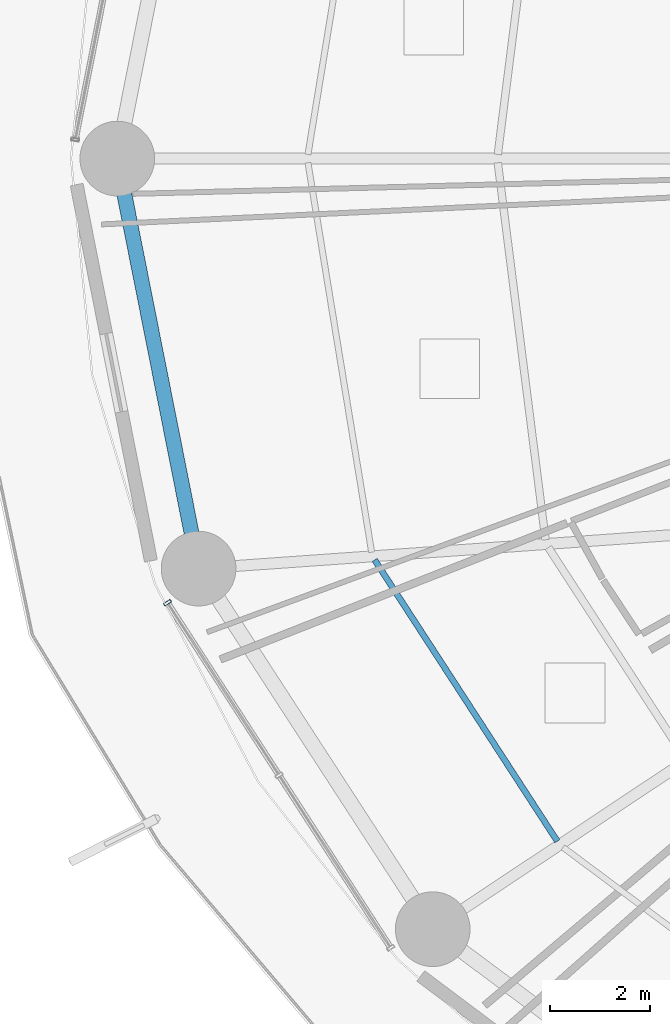
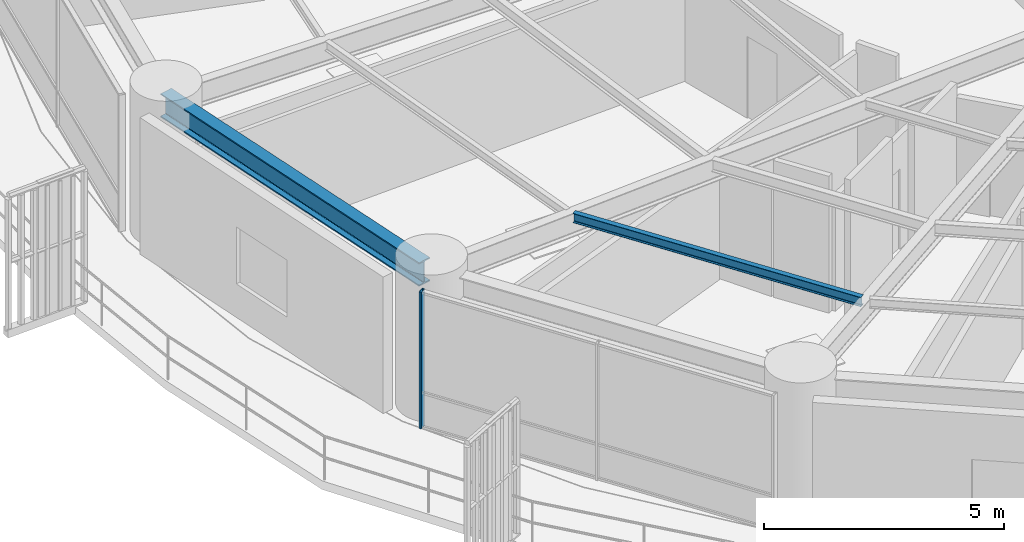
# One storey, part 4 of 33: 2 beams, 1 member, 1 element without a shape of its own.
"""IFC4 building model written with IfcOpenShell, lengths in metres."""

import ifcopenshell
import ifcopenshell.guid

model = None  # the IFC model being written
_history = None  # IfcOwnerHistory: only IFC2X3 demands one
_inside = {}  # id of a spatial element -> (the spatial element, [elements in it])
_under = {}  # id of a project, library or spatial element -> (it, [spatial elements below it])
_declared = {}  # id of a project -> (the project, [libraries it declares])
_typed = {}  # id of a type object -> (the type object, [elements of that type])
_made_of = {}  # id of a material, layer set ... -> (it, [elements and type objects made of it])


def new_model(schema):
    """Start an empty IFC model of exactly this schema.

    Asked for "IFC4X3", IfcOpenShell would pick the latest addendum, in which some entities
    have other attributes; the version numbers below select the first issue.
    IFC2X3 requires an IfcOwnerHistory on every rooted entity: one is made here for all.
    """
    global model, _history
    if schema == "IFC4X3":
        model = ifcopenshell.file(schema_version=(4, 3, 0, 0))
    else:
        model = ifcopenshell.file(schema=schema)
    _inside.clear()
    _under.clear()
    _declared.clear()
    _typed.clear()
    _made_of.clear()
    _history = None
    if model.schema == "IFC2X3":
        org = make("IfcOrganization", Name="unknown")
        user = make(
            "IfcPersonAndOrganization",
            ThePerson=make("IfcPerson", FamilyName="unknown"),
            TheOrganization=org,
        )
        app = make(
            "IfcApplication",
            ApplicationDeveloper=org,
            Version="unknown",
            ApplicationFullName="unknown",
            ApplicationIdentifier="unknown",
        )
        _history = make(
            "IfcOwnerHistory",
            OwningUser=user,
            OwningApplication=app,
            ChangeAction="ADDED",
            CreationDate=0,
        )
    return model


def make(cls, **values):
    """One entity of the class cls with the attributes given. An attribute that is None is left unset."""
    return model.create_entity(
        cls, **{name: value for name, value in values.items() if value is not None}
    )


def rooted(cls, **values):
    """An entity with a GlobalId (a new one), such as an element, a storey or a relation."""
    return make(cls, GlobalId=ifcopenshell.guid.new(), OwnerHistory=_history, **values)


def si_unit(unit_type, name, prefix=None):
    """IfcSIUnit, for example si_unit("LENGTHUNIT", "METRE", prefix="MILLI")."""
    return make("IfcSIUnit", UnitType=unit_type, Prefix=prefix, Name=name)


def assignment(units):
    """IfcUnitAssignment: the units of a project."""
    return None if units is None else make("IfcUnitAssignment", Units=units)


def point(xyz):
    """IfcCartesianPoint."""
    return None if xyz is None else make("IfcCartesianPoint", Coordinates=xyz)


def direction(xyz):
    """IfcDirection."""
    return None if xyz is None else make("IfcDirection", DirectionRatios=xyz)


def frame(location, z_axis=None, x_axis=None):
    """IfcAxis2Placement3D, a coordinate frame: its origin and axes. An axis left out is left unset."""
    return make(
        "IfcAxis2Placement3D",
        Location=point(location),
        Axis=direction(z_axis),
        RefDirection=direction(x_axis),
    )


def frame_2d(location, x_axis=None):
    """IfcAxis2Placement2D, a coordinate frame in the plane: its origin and x axis."""
    return make(
        "IfcAxis2Placement2D", Location=point(location), RefDirection=direction(x_axis)
    )


def origin():
    """The frame at (0, 0, 0) with its axes left unset."""
    return frame((0.0, 0.0, 0.0))


def origin_2d():
    """The frame at (0, 0) in the plane with its x axis left unset."""
    return frame_2d((0.0, 0.0))


def place(relative_to, where):
    """IfcLocalPlacement: puts the frame where relative to a parent placement (None: the world)."""
    return make(
        "IfcLocalPlacement", PlacementRelTo=relative_to, RelativePlacement=where
    )


def context(
    kind, dimensions, precision=None, world=None, true_north=None, identifier=None
):
    """IfcGeometricRepresentationContext, for example the 3D "Model" context."""
    return make(
        "IfcGeometricRepresentationContext",
        ContextIdentifier=identifier,
        ContextType=kind,
        CoordinateSpaceDimension=dimensions,
        Precision=precision,
        WorldCoordinateSystem=world,
        TrueNorth=true_north,
    )


def subcontext(parent, identifier, kind, view, scale=None):
    """IfcGeometricRepresentationSubContext, for example "Body" below "Model"."""
    return make(
        "IfcGeometricRepresentationSubContext",
        ContextIdentifier=identifier,
        ContextType=kind,
        ParentContext=parent,
        TargetScale=scale,
        TargetView=view,
    )


def project(units=None, contexts=None):
    """IfcProject with its units and contexts."""
    return rooted(
        "IfcProject",
        Name="project",
        RepresentationContexts=contexts,
        UnitsInContext=assignment(units),
    )


def spatial(cls, under=None, at=None, **own):
    """A site, building, storey or space (cls), placed at a placement, below another one or the project."""
    s = rooted(cls, ObjectPlacement=at, **own)
    if under is not None:
        _under.setdefault(under.id(), (under, []))[1].append(s)
    return s


def profile(cls, at=None, kind="AREA", **sizes):
    """A parametric profile (cls). Its sizes go by their IFC names, for example OverallWidth=200.0."""
    return make(cls, ProfileType=kind, Position=at, **sizes)


def hollow_rectangle(**sizes):
    """IfcRectangleHollowProfileDef."""
    return profile("IfcRectangleHollowProfileDef", **sizes)


def i_section(**sizes):
    """IfcIShapeProfileDef."""
    return profile("IfcIShapeProfileDef", **sizes)


def extrude(swept, where, along, depth):
    """IfcExtrudedAreaSolid: the profile swept, set in the frame where, extruded along a direction by depth."""
    return make(
        "IfcExtrudedAreaSolid",
        SweptArea=swept,
        Position=where,
        ExtrudedDirection=direction(along),
        Depth=depth,
    )


def shape(context_of_items, identifier, shape_type, items):
    """IfcShapeRepresentation: the items that make up one representation, for example the "Body"."""
    return make(
        "IfcShapeRepresentation",
        ContextOfItems=context_of_items,
        RepresentationIdentifier=identifier,
        RepresentationType=shape_type,
        Items=items,
    )


def material(Name=None, Category=None):
    """IfcMaterial."""
    return make("IfcMaterial", Name=Name, Category=Category)


def layer(
    of_material, thickness, ventilated=None, Name=None, Category=None, Priority=None
):
    """IfcMaterialLayer: one layer of a wall or slab, of a material (None: an air gap)."""
    return make(
        "IfcMaterialLayer",
        Material=of_material,
        LayerThickness=thickness,
        IsVentilated=ventilated,
        Name=Name,
        Category=Category,
        Priority=Priority,
    )


def layer_set(layers, Name=None):
    """IfcMaterialLayerSet."""
    return make("IfcMaterialLayerSet", MaterialLayers=layers, LayerSetName=Name)


def material_profile(
    of_material, cross_section, Name=None, Category=None, Priority=None
):
    """IfcMaterialProfile: a cross section and its material."""
    return make(
        "IfcMaterialProfile",
        Name=Name,
        Material=of_material,
        Profile=cross_section,
        Priority=Priority,
        Category=Category,
    )


def profile_set(profiles, Name=None, composite=None):
    """IfcMaterialProfileSet."""
    return make(
        "IfcMaterialProfileSet",
        Name=Name,
        MaterialProfiles=profiles,
        CompositeProfile=composite,
    )


def made_of(thing, what):
    """Note that an element or type object is made of a material, layer set ...; save() writes the relation."""
    if what is not None:
        _made_of.setdefault(what.id(), (what, []))[1].append(thing)
    return thing


def type_object(cls, material=None, **own):
    """A type object (cls), such as IfcWallType, which elements share."""
    return made_of(rooted(cls, **own), material)


def element(
    cls,
    number,
    at=None,
    inside=None,
    cuts=None,
    type_object=None,
    material=None,
    context=None,
    identifier="Body",
    shape_type=None,
    held_by="IfcProductDefinitionShape",
    body=None,
    shapes=None,
    **own,
):
    """One element of the class cls, such as IfcWall. Its Tag is "e" and its number.

    at: its placement. inside: the storey or other place that contains it. cuts: it is an
    opening in that element (IfcRelVoidsElement). A single representation is given by context,
    identifier, shape_type and body (its items); several are given by shapes. held_by: the class
    of the entity that holds the representations. save() writes the other relations.
    """
    e = rooted(cls, Tag="e%d" % number, ObjectPlacement=at, **own)
    if body is not None:
        shapes = [shape(context, identifier, shape_type, body)]
    if shapes is not None:
        e.Representation = make(held_by, Representations=shapes)
    if inside is not None:
        _inside.setdefault(inside.id(), (inside, []))[1].append(e)
    if cuts is not None:
        rooted(
            "IfcRelVoidsElement", RelatingBuildingElement=cuts, RelatedOpeningElement=e
        )
    if type_object is not None:
        _typed.setdefault(type_object.id(), (type_object, []))[1].append(e)
    return made_of(e, material)


def aggregate(whole, parts):
    """IfcRelAggregates: a whole, such as a stair, and the parts it consists of."""
    return rooted("IfcRelAggregates", RelatingObject=whole, RelatedObjects=parts)


def save(model, path):
    """Write the relations noted so far, then the file.

    IfcRelAggregates (storeys below a building ...), IfcRelContainedInSpatialStructure (elements
    in a storey), IfcRelDefinesByType, IfcRelAssociatesMaterial and IfcRelDeclares: one each for
    every whole, place, type object, material and project.
    """
    for whole, parts in _under.values():
        aggregate(whole, parts)
    for where, things in _inside.values():
        rooted(
            "IfcRelContainedInSpatialStructure",
            RelatedElements=things,
            RelatingStructure=where,
        )
    for kind, things in _typed.values():
        rooted("IfcRelDefinesByType", RelatedObjects=things, RelatingType=kind)
    for what, things in _made_of.values():
        rooted("IfcRelAssociatesMaterial", RelatedObjects=things, RelatingMaterial=what)
    for by, libraries in _declared.values():
        rooted("IfcRelDeclares", RelatingContext=by, RelatedDefinitions=libraries)
    model.write(path)


model = new_model("IFC4")

# Units and contexts
model_context = context("Model", 3, precision=1e-05, world=origin(), true_north=direction((0.0, 1.0)))
body_context = subcontext(model_context, "Body", "Model", "MODEL_VIEW")
ifc_project = project(units=[si_unit("LENGTHUNIT", "METRE"), si_unit("AREAUNIT", "SQUARE_METRE"), si_unit("VOLUMEUNIT", "CUBIC_METRE"), si_unit("PLANEANGLEUNIT", "RADIAN"), si_unit("MASSUNIT", "GRAM", prefix="KILO")], contexts=[model_context])

# Site, building, storey
site_placement = place(None, origin())
site = spatial("IfcSite", under=ifc_project, at=site_placement, CompositionType="ELEMENT")
building_placement = place(site_placement, origin())
building = spatial("IfcBuilding", under=site, at=building_placement, Name="Kelanora Arch Commons", CompositionType="ELEMENT")
storey_placement = place(building_placement, frame((0.0, 0.0, 37.5)))
storey = spatial("IfcBuildingStorey", under=building, at=storey_placement, Name="L09", CompositionType="ELEMENT", Elevation=37.5)

# Beams
ifc_material_1 = material(Name="Steel S355", Category="steel")
ifc_material_profile_1 = material_profile(ifc_material_1, i_section(OverallWidth=0.1201171875, OverallDepth=0.239990234375, WebThickness=0.006103515625, FlangeThickness=0.009765625, FilletRadius=0.014892578125, at=origin_2d()), Name="IPE240")
ifc_profile_set_1 = profile_set([ifc_material_profile_1], Name="Steel S355")
beam_type_1 = type_object("IfcBeamType", Name="BM-JST-02", PredefinedType="JOIST", material=ifc_profile_set_1)
beam_1_placement = place(storey_placement, frame((52.0888671875, 49.940185546875, 3.3701171875), z_axis=(0.544550165372, -0.838728273873, 0.0), x_axis=(0.838728273873, 0.544550165372, 0.0)))
element("IfcBeam", 1, at=beam_1_placement, inside=storey, type_object=beam_type_1, Name="Secondary Chord Joist BJC-20 L09", PredefinedType="JOIST", context=body_context, shape_type="SweptSolid", body=[
    extrude(i_section(OverallWidth=0.1201171875, OverallDepth=0.239990234375, WebThickness=0.006103515625, FlangeThickness=0.009765625, FilletRadius=0.014892578125, at=origin_2d()), origin(), (0.0, 0.0, 1.0), 6.738037109375),
])
ifc_material_profile_2 = material_profile(ifc_material_1, i_section(OverallWidth=0.300048828125, OverallDepth=0.60009765625, WebThickness=0.015380859375, FlangeThickness=0.030029296875, FilletRadius=0.027099609375, at=origin_2d()), Name="HEB600")
ifc_profile_set_2 = profile_set([ifc_material_profile_2], Name="Steel S355")
beam_type_2 = type_object("IfcBeamType", Name="BM-SPN-Z1", PredefinedType="SPANDREL", material=ifc_profile_set_2)
beam_2_placement = place(storey_placement, frame((46.919921875, 58.0, 3.18994140625), z_axis=(0.194508025468, -0.980900926714, 0.0), x_axis=(0.980900926714, 0.194508025468, 0.0)))
element("IfcBeam", 2, at=beam_2_placement, inside=storey, type_object=beam_type_2, Name="Perimeter Spandrel Beam BS-18 L09", PredefinedType="SPANDREL", context=body_context, shape_type="SweptSolid", body=[
    extrude(i_section(OverallWidth=0.300048828125, OverallDepth=0.60009765625, WebThickness=0.015380859375, FlangeThickness=0.030029296875, FilletRadius=0.027099609375, at=origin_2d()), origin(), (0.0, 0.0, 1.0), 8.17626953125),
])

# Curtain wall, member
ifc_material_2 = material(Name="Terracotta ceramic-fritted low-E glass and aluminium", Category="masonry")
ifc_layer = layer(ifc_material_2, 0.159912109375)
ifc_layer_set = layer_set([ifc_layer], Name="Terracotta ceramic-fritted low-E glass and aluminium")
curtain_wall_type = type_object("IfcCurtainWallType", Name="CW-SYS-01", PredefinedType="NOTDEFINED", material=ifc_layer_set)
curtain_wall_placement = place(storey_placement, origin())
curtain_wall = element("IfcCurtainWall", 3, at=curtain_wall_placement, inside=storey, type_object=curtain_wall_type, Name="Unitised Curtain Wall L09-B10", PredefinedType="NOTDEFINED")
ifc_material_3 = material(Name="Powder-coated aluminium terracotta", Category="masonry")
ifc_material_profile_3 = material_profile(ifc_material_3, hollow_rectangle(XDim=0.159912109375, YDim=0.06005859375, WallThickness=0.0048828125, InnerFilletRadius=0.0048828125, OuterFilletRadius=0.010009765625, at=origin_2d()), Name="CWM160x60")
ifc_profile_set_3 = profile_set([ifc_material_profile_3], Name="Powder-coated aluminium terracotta")
member_type = type_object("IfcMemberType", Name="CWM-STD", PredefinedType="MULLION", material=ifc_profile_set_3)
member_placement = place(storey_placement, frame((47.927734375, 49.07958984375, 0.0), z_axis=(0.0, 0.0, 1.0), x_axis=(0.83972982332, 0.543004441812, 0.0)))
member = element("IfcMember", 4, at=member_placement, type_object=member_type, Name="CW-01 mullion 1", PredefinedType="MULLION", context=body_context, shape_type="SweptSolid", body=[
    extrude(hollow_rectangle(XDim=0.159912109375, YDim=0.06005859375, WallThickness=0.0048828125, InnerFilletRadius=0.0048828125, OuterFilletRadius=0.010009765625, at=origin_2d()), origin(), (0.0, 0.0, 1.0), 3.47509765625),
])
aggregate(curtain_wall, [member])

save(model, "model.ifc")
